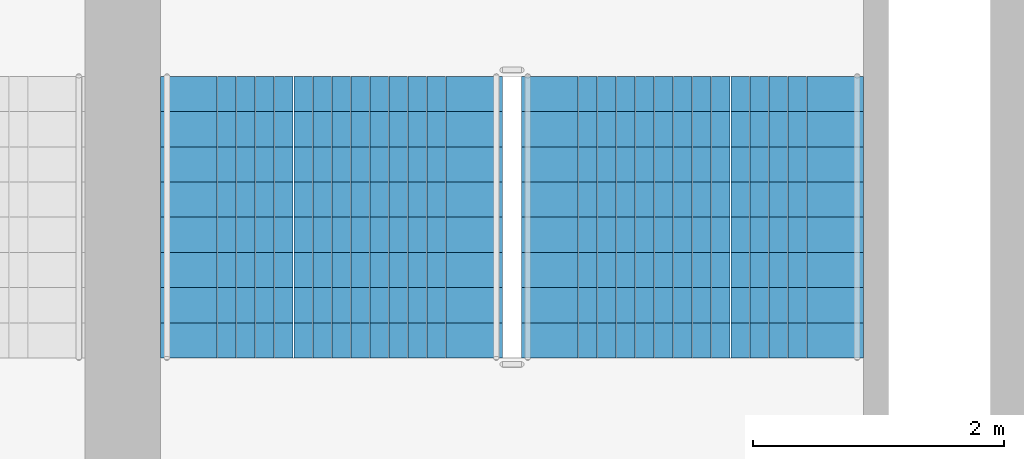
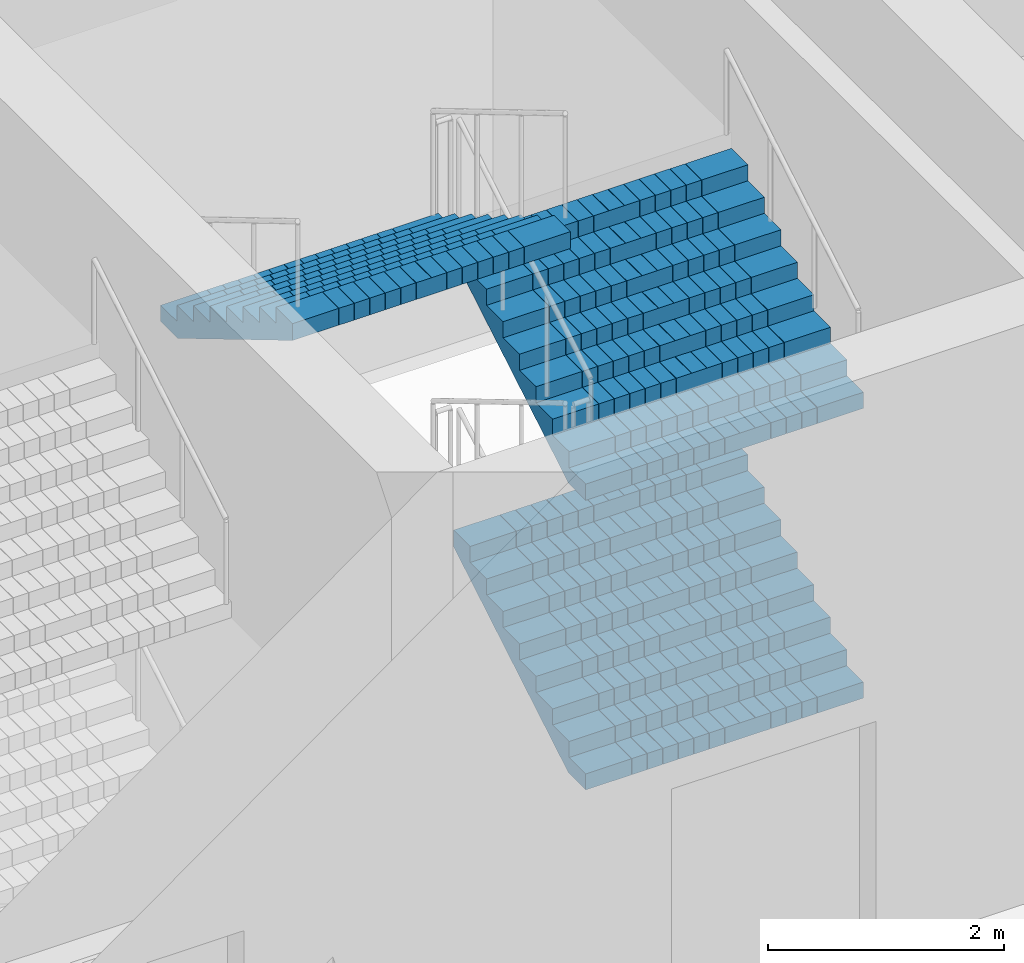
# One storey, part 28 of 41: 3 stair flights, 1 element without a shape of its own.
"""IFC4 building model written with IfcOpenShell, lengths in metres."""

from ifc_helpers import new_model, si_unit, direction, frame, origin, place, context, subcontext, project, spatial, polyline, outline, extrude, material, type_object, element, aggregate, save


model = new_model("IFC4")

# Units and contexts
model_context = context("Model", 3, precision=1e-05, world=origin(), true_north=direction((0.0, 1.0)))
body_context = subcontext(model_context, "Body", "Model", "MODEL_VIEW")
ifc_project = project(units=[si_unit("LENGTHUNIT", "METRE"), si_unit("AREAUNIT", "SQUARE_METRE"), si_unit("VOLUMEUNIT", "CUBIC_METRE"), si_unit("PLANEANGLEUNIT", "RADIAN"), si_unit("MASSUNIT", "GRAM", prefix="KILO")], contexts=[model_context])

# Site, building, storey
site_placement = place(None, origin())
site = spatial("IfcSite", under=ifc_project, at=site_placement, CompositionType="ELEMENT")
building_placement = place(site_placement, origin())
building = spatial("IfcBuilding", under=site, at=building_placement, Name="Corbelhall Arena Tower", CompositionType="ELEMENT")
storey_placement = place(building_placement, frame((0.0, 0.0, 19.0)))
storey = spatial("IfcBuildingStorey", under=building, at=storey_placement, Name="L02", CompositionType="ELEMENT", Elevation=19.0)

# Stair, stair flights
ifc_material = material(Name="Reinforced concrete C40/50", Category="concrete")
stair_type = type_object("IfcStairType", Name="AR-EXIT-STAIR", PredefinedType="HALF_TURN_STAIR", material=ifc_material)
stair_placement = place(storey_placement, origin())
stair = element("IfcStair", 1, at=stair_placement, inside=storey, type_object=stair_type, Name="L02 exit stair AS3", PredefinedType="HALF_TURN_STAIR")
stair_flight_type = type_object("IfcStairFlightType", Name="AR-EXIT-FLIGHT", PredefinedType="STRAIGHT", material=ifc_material)
stair_flight_1_placement = place(storey_placement, frame((-35.969970703125, 27.320068359375, 0.0), z_axis=(0.0, 0.0, 1.0), x_axis=(0.0, 1.0, 0.0)))
stair_flight_1 = element("IfcStairFlight", 2, at=stair_flight_1_placement, type_object=stair_flight_type, Name="AS3 flight 1", NumberOfRisers=9, NumberOfTreads=8, PredefinedType="STRAIGHT", RiserHeight=0.166666667, TreadLength=0.28, context=body_context, shape_type="SweptSolid", body=[
    extrude(outline(polyline([(0.0, 0.0), (0.0, 0.166748046875), (0.280029296875, 0.166748046875), (0.280029296875, 0.333251953125), (0.56005859375, 0.333251953125), (0.56005859375, 0.5), (0.840087890625, 0.5), (0.840087890625, 0.666748046875), (1.1201171875, 0.666748046875), (1.1201171875, 0.833251953125), (1.39990234375, 0.833251953125), (1.39990234375, 1.0), (1.679931640625, 1.0), (1.679931640625, 1.166748046875), (1.9599609375, 1.166748046875), (1.9599609375, 1.333251953125), (2.239990234375, 1.333251953125), (2.239990234375, 1.5), (2.239990234375, 1.158935546875), (0.29296875, 0.0), (0.0, 0.0)])), frame((0.0, 1.35986328125, 0.0), z_axis=(0.0, -1.0, 0.0), x_axis=(1.0, 0.0, 0.0)), (0.0, 0.0, 1.0), 0.449951171875),
    extrude(outline(polyline([(0.0, 0.0), (0.0, 0.166748046875), (0.280029296875, 0.166748046875), (0.280029296875, 0.333251953125), (0.56005859375, 0.333251953125), (0.56005859375, 0.5), (0.840087890625, 0.5), (0.840087890625, 0.666748046875), (1.1201171875, 0.666748046875), (1.1201171875, 0.833251953125), (1.39990234375, 0.833251953125), (1.39990234375, 1.0), (1.679931640625, 1.0), (1.679931640625, 1.166748046875), (1.9599609375, 1.166748046875), (1.9599609375, 1.333251953125), (2.239990234375, 1.333251953125), (2.239990234375, 1.5), (2.239990234375, 1.158935546875), (0.29296875, 0.0), (0.0, 0.0)])), frame((0.0, 0.906005859375, 0.0), z_axis=(0.0, -1.0, 0.0), x_axis=(1.0, 0.0, 0.0)), (0.0, 0.0, 1.0), 0.147216796875),
    extrude(outline(polyline([(0.0, 0.0), (0.0, 0.166748046875), (0.280029296875, 0.166748046875), (0.280029296875, 0.333251953125), (0.56005859375, 0.333251953125), (0.56005859375, 0.5), (0.840087890625, 0.5), (0.840087890625, 0.666748046875), (1.1201171875, 0.666748046875), (1.1201171875, 0.833251953125), (1.39990234375, 0.833251953125), (1.39990234375, 1.0), (1.679931640625, 1.0), (1.679931640625, 1.166748046875), (1.9599609375, 1.166748046875), (1.9599609375, 1.333251953125), (2.239990234375, 1.333251953125), (2.239990234375, 1.5), (2.239990234375, 1.158935546875), (0.29296875, 0.0), (0.0, 0.0)])), frame((0.0, 0.754638671875, 0.0), z_axis=(0.0, -1.0, 0.0), x_axis=(1.0, 0.0, 0.0)), (0.0, 0.0, 1.0), 0.147216796875),
    extrude(outline(polyline([(0.0, 0.0), (0.0, 0.166748046875), (0.280029296875, 0.166748046875), (0.280029296875, 0.333251953125), (0.56005859375, 0.333251953125), (0.56005859375, 0.5), (0.840087890625, 0.5), (0.840087890625, 0.666748046875), (1.1201171875, 0.666748046875), (1.1201171875, 0.833251953125), (1.39990234375, 0.833251953125), (1.39990234375, 1.0), (1.679931640625, 1.0), (1.679931640625, 1.166748046875), (1.9599609375, 1.166748046875), (1.9599609375, 1.333251953125), (2.239990234375, 1.333251953125), (2.239990234375, 1.5), (2.239990234375, 1.158935546875), (0.29296875, 0.0), (0.0, 0.0)])), frame((0.0, 0.603271484375, 0.0), z_axis=(0.0, -1.0, 0.0), x_axis=(1.0, 0.0, 0.0)), (0.0, 0.0, 1.0), 0.147216796875),
    extrude(outline(polyline([(0.0, 0.0), (0.0, 0.166748046875), (0.280029296875, 0.166748046875), (0.280029296875, 0.333251953125), (0.56005859375, 0.333251953125), (0.56005859375, 0.5), (0.840087890625, 0.5), (0.840087890625, 0.666748046875), (1.1201171875, 0.666748046875), (1.1201171875, 0.833251953125), (1.39990234375, 0.833251953125), (1.39990234375, 1.0), (1.679931640625, 1.0), (1.679931640625, 1.166748046875), (1.9599609375, 1.166748046875), (1.9599609375, 1.333251953125), (2.239990234375, 1.333251953125), (2.239990234375, 1.5), (2.239990234375, 1.158935546875), (0.29296875, 0.0), (0.0, 0.0)])), frame((0.0, 0.451904296875, 0.0), z_axis=(0.0, -1.0, 0.0), x_axis=(1.0, 0.0, 0.0)), (0.0, 0.0, 1.0), 0.147216796875),
    extrude(outline(polyline([(0.0, 0.0), (0.0, 0.166748046875), (0.280029296875, 0.166748046875), (0.280029296875, 0.333251953125), (0.56005859375, 0.333251953125), (0.56005859375, 0.5), (0.840087890625, 0.5), (0.840087890625, 0.666748046875), (1.1201171875, 0.666748046875), (1.1201171875, 0.833251953125), (1.39990234375, 0.833251953125), (1.39990234375, 1.0), (1.679931640625, 1.0), (1.679931640625, 1.166748046875), (1.9599609375, 1.166748046875), (1.9599609375, 1.333251953125), (2.239990234375, 1.333251953125), (2.239990234375, 1.5), (2.239990234375, 1.158935546875), (0.29296875, 0.0), (0.0, 0.0)])), frame((0.0, 0.30078125, 0.0), z_axis=(0.0, -1.0, 0.0), x_axis=(1.0, 0.0, 0.0)), (0.0, 0.0, 1.0), 0.147216796875),
    extrude(outline(polyline([(0.0, 0.0), (0.0, 0.166748046875), (0.280029296875, 0.166748046875), (0.280029296875, 0.333251953125), (0.56005859375, 0.333251953125), (0.56005859375, 0.5), (0.840087890625, 0.5), (0.840087890625, 0.666748046875), (1.1201171875, 0.666748046875), (1.1201171875, 0.833251953125), (1.39990234375, 0.833251953125), (1.39990234375, 1.0), (1.679931640625, 1.0), (1.679931640625, 1.166748046875), (1.9599609375, 1.166748046875), (1.9599609375, 1.333251953125), (2.239990234375, 1.333251953125), (2.239990234375, 1.5), (2.239990234375, 1.158935546875), (0.29296875, 0.0), (0.0, 0.0)])), frame((0.0, 0.1494140625, 0.0), z_axis=(0.0, -1.0, 0.0), x_axis=(1.0, 0.0, 0.0)), (0.0, 0.0, 1.0), 0.147216796875),
    extrude(outline(polyline([(0.0, 0.0), (0.0, 0.166748046875), (0.280029296875, 0.166748046875), (0.280029296875, 0.333251953125), (0.56005859375, 0.333251953125), (0.56005859375, 0.5), (0.840087890625, 0.5), (0.840087890625, 0.666748046875), (1.1201171875, 0.666748046875), (1.1201171875, 0.833251953125), (1.39990234375, 0.833251953125), (1.39990234375, 1.0), (1.679931640625, 1.0), (1.679931640625, 1.166748046875), (1.9599609375, 1.166748046875), (1.9599609375, 1.333251953125), (2.239990234375, 1.333251953125), (2.239990234375, 1.5), (2.239990234375, 1.158935546875), (0.29296875, 0.0), (0.0, 0.0)])), frame((0.0, -0.001953125, 0.0), z_axis=(0.0, -1.0, 0.0), x_axis=(1.0, 0.0, 0.0)), (0.0, 0.0, 1.0), 0.147216796875),
    extrude(outline(polyline([(0.0, 0.0), (0.0, 0.166748046875), (0.280029296875, 0.166748046875), (0.280029296875, 0.333251953125), (0.56005859375, 0.333251953125), (0.56005859375, 0.5), (0.840087890625, 0.5), (0.840087890625, 0.666748046875), (1.1201171875, 0.666748046875), (1.1201171875, 0.833251953125), (1.39990234375, 0.833251953125), (1.39990234375, 1.0), (1.679931640625, 1.0), (1.679931640625, 1.166748046875), (1.9599609375, 1.166748046875), (1.9599609375, 1.333251953125), (2.239990234375, 1.333251953125), (2.239990234375, 1.5), (2.239990234375, 1.158935546875), (0.29296875, 0.0), (0.0, 0.0)])), frame((0.0, -0.1533203125, 0.0), z_axis=(0.0, -1.0, 0.0), x_axis=(1.0, 0.0, 0.0)), (0.0, 0.0, 1.0), 0.147216796875),
    extrude(outline(polyline([(0.0, 0.0), (0.0, 0.166748046875), (0.280029296875, 0.166748046875), (0.280029296875, 0.333251953125), (0.56005859375, 0.333251953125), (0.56005859375, 0.5), (0.840087890625, 0.5), (0.840087890625, 0.666748046875), (1.1201171875, 0.666748046875), (1.1201171875, 0.833251953125), (1.39990234375, 0.833251953125), (1.39990234375, 1.0), (1.679931640625, 1.0), (1.679931640625, 1.166748046875), (1.9599609375, 1.166748046875), (1.9599609375, 1.333251953125), (2.239990234375, 1.333251953125), (2.239990234375, 1.5), (2.239990234375, 1.158935546875), (0.29296875, 0.0), (0.0, 0.0)])), frame((0.0, -0.3046875, 0.0), z_axis=(0.0, -1.0, 0.0), x_axis=(1.0, 0.0, 0.0)), (0.0, 0.0, 1.0), 0.147216796875),
    extrude(outline(polyline([(0.0, 0.0), (0.0, 0.166748046875), (0.280029296875, 0.166748046875), (0.280029296875, 0.333251953125), (0.56005859375, 0.333251953125), (0.56005859375, 0.5), (0.840087890625, 0.5), (0.840087890625, 0.666748046875), (1.1201171875, 0.666748046875), (1.1201171875, 0.833251953125), (1.39990234375, 0.833251953125), (1.39990234375, 1.0), (1.679931640625, 1.0), (1.679931640625, 1.166748046875), (1.9599609375, 1.166748046875), (1.9599609375, 1.333251953125), (2.239990234375, 1.333251953125), (2.239990234375, 1.5), (2.239990234375, 1.158935546875), (0.29296875, 0.0), (0.0, 0.0)])), frame((0.0, -0.4560546875, 0.0), z_axis=(0.0, -1.0, 0.0), x_axis=(1.0, 0.0, 0.0)), (0.0, 0.0, 1.0), 0.147216796875),
    extrude(outline(polyline([(0.0, 0.0), (0.0, 0.166748046875), (0.280029296875, 0.166748046875), (0.280029296875, 0.333251953125), (0.56005859375, 0.333251953125), (0.56005859375, 0.5), (0.840087890625, 0.5), (0.840087890625, 0.666748046875), (1.1201171875, 0.666748046875), (1.1201171875, 0.833251953125), (1.39990234375, 0.833251953125), (1.39990234375, 1.0), (1.679931640625, 1.0), (1.679931640625, 1.166748046875), (1.9599609375, 1.166748046875), (1.9599609375, 1.333251953125), (2.239990234375, 1.333251953125), (2.239990234375, 1.5), (2.239990234375, 1.158935546875), (0.29296875, 0.0), (0.0, 0.0)])), frame((0.0, -0.607421875, 0.0), z_axis=(0.0, -1.0, 0.0), x_axis=(1.0, 0.0, 0.0)), (0.0, 0.0, 1.0), 0.147216796875),
    extrude(outline(polyline([(0.0, 0.0), (0.0, 0.166748046875), (0.280029296875, 0.166748046875), (0.280029296875, 0.333251953125), (0.56005859375, 0.333251953125), (0.56005859375, 0.5), (0.840087890625, 0.5), (0.840087890625, 0.666748046875), (1.1201171875, 0.666748046875), (1.1201171875, 0.833251953125), (1.39990234375, 0.833251953125), (1.39990234375, 1.0), (1.679931640625, 1.0), (1.679931640625, 1.166748046875), (1.9599609375, 1.166748046875), (1.9599609375, 1.333251953125), (2.239990234375, 1.333251953125), (2.239990234375, 1.5), (2.239990234375, 1.158935546875), (0.29296875, 0.0), (0.0, 0.0)])), frame((0.0, -0.758544921875, 0.0), z_axis=(0.0, -1.0, 0.0), x_axis=(1.0, 0.0, 0.0)), (0.0, 0.0, 1.0), 0.147216796875),
    extrude(outline(polyline([(0.0, 0.0), (0.0, 0.166748046875), (0.280029296875, 0.166748046875), (0.280029296875, 0.333251953125), (0.56005859375, 0.333251953125), (0.56005859375, 0.5), (0.840087890625, 0.5), (0.840087890625, 0.666748046875), (1.1201171875, 0.666748046875), (1.1201171875, 0.833251953125), (1.39990234375, 0.833251953125), (1.39990234375, 1.0), (1.679931640625, 1.0), (1.679931640625, 1.166748046875), (1.9599609375, 1.166748046875), (1.9599609375, 1.333251953125), (2.239990234375, 1.333251953125), (2.239990234375, 1.5), (2.239990234375, 1.158935546875), (0.29296875, 0.0), (0.0, 0.0)])), frame((0.0, -0.909912109375, 0.0), z_axis=(0.0, -1.0, 0.0), x_axis=(1.0, 0.0, 0.0)), (0.0, 0.0, 1.0), 0.449951171875),
])
stair_flight_2_placement = place(storey_placement, frame((-35.969970703125, 27.320068359375, 3.0), z_axis=(0.0, 0.0, 1.0), x_axis=(0.0, 1.0, 0.0)))
stair_flight_2 = element("IfcStairFlight", 3, at=stair_flight_2_placement, type_object=stair_flight_type, Name="AS3 flight 3", NumberOfRisers=9, NumberOfTreads=8, PredefinedType="STRAIGHT", RiserHeight=0.166666667, TreadLength=0.28, context=body_context, shape_type="SweptSolid", body=[
    extrude(outline(polyline([(0.0, 0.0), (0.0, 0.166748046875), (0.280029296875, 0.166748046875), (0.280029296875, 0.333251953125), (0.56005859375, 0.333251953125), (0.56005859375, 0.5), (0.840087890625, 0.5), (0.840087890625, 0.666748046875), (1.1201171875, 0.666748046875), (1.1201171875, 0.833251953125), (1.39990234375, 0.833251953125), (1.39990234375, 1.0), (1.679931640625, 1.0), (1.679931640625, 1.166748046875), (1.9599609375, 1.166748046875), (1.9599609375, 1.333251953125), (2.239990234375, 1.333251953125), (2.239990234375, 1.5), (2.239990234375, 1.158935546875), (0.29296875, 0.0), (0.0, 0.0)])), frame((0.0, 1.35986328125, 0.0), z_axis=(0.0, -1.0, 0.0), x_axis=(1.0, 0.0, 0.0)), (0.0, 0.0, 1.0), 0.449951171875),
    extrude(outline(polyline([(0.0, 0.0), (0.0, 0.166748046875), (0.280029296875, 0.166748046875), (0.280029296875, 0.333251953125), (0.56005859375, 0.333251953125), (0.56005859375, 0.5), (0.840087890625, 0.5), (0.840087890625, 0.666748046875), (1.1201171875, 0.666748046875), (1.1201171875, 0.833251953125), (1.39990234375, 0.833251953125), (1.39990234375, 1.0), (1.679931640625, 1.0), (1.679931640625, 1.166748046875), (1.9599609375, 1.166748046875), (1.9599609375, 1.333251953125), (2.239990234375, 1.333251953125), (2.239990234375, 1.5), (2.239990234375, 1.158935546875), (0.29296875, 0.0), (0.0, 0.0)])), frame((0.0, 0.906005859375, 0.0), z_axis=(0.0, -1.0, 0.0), x_axis=(1.0, 0.0, 0.0)), (0.0, 0.0, 1.0), 0.147216796875),
    extrude(outline(polyline([(0.0, 0.0), (0.0, 0.166748046875), (0.280029296875, 0.166748046875), (0.280029296875, 0.333251953125), (0.56005859375, 0.333251953125), (0.56005859375, 0.5), (0.840087890625, 0.5), (0.840087890625, 0.666748046875), (1.1201171875, 0.666748046875), (1.1201171875, 0.833251953125), (1.39990234375, 0.833251953125), (1.39990234375, 1.0), (1.679931640625, 1.0), (1.679931640625, 1.166748046875), (1.9599609375, 1.166748046875), (1.9599609375, 1.333251953125), (2.239990234375, 1.333251953125), (2.239990234375, 1.5), (2.239990234375, 1.158935546875), (0.29296875, 0.0), (0.0, 0.0)])), frame((0.0, 0.754638671875, 0.0), z_axis=(0.0, -1.0, 0.0), x_axis=(1.0, 0.0, 0.0)), (0.0, 0.0, 1.0), 0.147216796875),
    extrude(outline(polyline([(0.0, 0.0), (0.0, 0.166748046875), (0.280029296875, 0.166748046875), (0.280029296875, 0.333251953125), (0.56005859375, 0.333251953125), (0.56005859375, 0.5), (0.840087890625, 0.5), (0.840087890625, 0.666748046875), (1.1201171875, 0.666748046875), (1.1201171875, 0.833251953125), (1.39990234375, 0.833251953125), (1.39990234375, 1.0), (1.679931640625, 1.0), (1.679931640625, 1.166748046875), (1.9599609375, 1.166748046875), (1.9599609375, 1.333251953125), (2.239990234375, 1.333251953125), (2.239990234375, 1.5), (2.239990234375, 1.158935546875), (0.29296875, 0.0), (0.0, 0.0)])), frame((0.0, 0.603271484375, 0.0), z_axis=(0.0, -1.0, 0.0), x_axis=(1.0, 0.0, 0.0)), (0.0, 0.0, 1.0), 0.147216796875),
    extrude(outline(polyline([(0.0, 0.0), (0.0, 0.166748046875), (0.280029296875, 0.166748046875), (0.280029296875, 0.333251953125), (0.56005859375, 0.333251953125), (0.56005859375, 0.5), (0.840087890625, 0.5), (0.840087890625, 0.666748046875), (1.1201171875, 0.666748046875), (1.1201171875, 0.833251953125), (1.39990234375, 0.833251953125), (1.39990234375, 1.0), (1.679931640625, 1.0), (1.679931640625, 1.166748046875), (1.9599609375, 1.166748046875), (1.9599609375, 1.333251953125), (2.239990234375, 1.333251953125), (2.239990234375, 1.5), (2.239990234375, 1.158935546875), (0.29296875, 0.0), (0.0, 0.0)])), frame((0.0, 0.451904296875, 0.0), z_axis=(0.0, -1.0, 0.0), x_axis=(1.0, 0.0, 0.0)), (0.0, 0.0, 1.0), 0.147216796875),
    extrude(outline(polyline([(0.0, 0.0), (0.0, 0.166748046875), (0.280029296875, 0.166748046875), (0.280029296875, 0.333251953125), (0.56005859375, 0.333251953125), (0.56005859375, 0.5), (0.840087890625, 0.5), (0.840087890625, 0.666748046875), (1.1201171875, 0.666748046875), (1.1201171875, 0.833251953125), (1.39990234375, 0.833251953125), (1.39990234375, 1.0), (1.679931640625, 1.0), (1.679931640625, 1.166748046875), (1.9599609375, 1.166748046875), (1.9599609375, 1.333251953125), (2.239990234375, 1.333251953125), (2.239990234375, 1.5), (2.239990234375, 1.158935546875), (0.29296875, 0.0), (0.0, 0.0)])), frame((0.0, 0.30078125, 0.0), z_axis=(0.0, -1.0, 0.0), x_axis=(1.0, 0.0, 0.0)), (0.0, 0.0, 1.0), 0.147216796875),
    extrude(outline(polyline([(0.0, 0.0), (0.0, 0.166748046875), (0.280029296875, 0.166748046875), (0.280029296875, 0.333251953125), (0.56005859375, 0.333251953125), (0.56005859375, 0.5), (0.840087890625, 0.5), (0.840087890625, 0.666748046875), (1.1201171875, 0.666748046875), (1.1201171875, 0.833251953125), (1.39990234375, 0.833251953125), (1.39990234375, 1.0), (1.679931640625, 1.0), (1.679931640625, 1.166748046875), (1.9599609375, 1.166748046875), (1.9599609375, 1.333251953125), (2.239990234375, 1.333251953125), (2.239990234375, 1.5), (2.239990234375, 1.158935546875), (0.29296875, 0.0), (0.0, 0.0)])), frame((0.0, 0.1494140625, 0.0), z_axis=(0.0, -1.0, 0.0), x_axis=(1.0, 0.0, 0.0)), (0.0, 0.0, 1.0), 0.147216796875),
    extrude(outline(polyline([(0.0, 0.0), (0.0, 0.166748046875), (0.280029296875, 0.166748046875), (0.280029296875, 0.333251953125), (0.56005859375, 0.333251953125), (0.56005859375, 0.5), (0.840087890625, 0.5), (0.840087890625, 0.666748046875), (1.1201171875, 0.666748046875), (1.1201171875, 0.833251953125), (1.39990234375, 0.833251953125), (1.39990234375, 1.0), (1.679931640625, 1.0), (1.679931640625, 1.166748046875), (1.9599609375, 1.166748046875), (1.9599609375, 1.333251953125), (2.239990234375, 1.333251953125), (2.239990234375, 1.5), (2.239990234375, 1.158935546875), (0.29296875, 0.0), (0.0, 0.0)])), frame((0.0, -0.001953125, 0.0), z_axis=(0.0, -1.0, 0.0), x_axis=(1.0, 0.0, 0.0)), (0.0, 0.0, 1.0), 0.147216796875),
    extrude(outline(polyline([(0.0, 0.0), (0.0, 0.166748046875), (0.280029296875, 0.166748046875), (0.280029296875, 0.333251953125), (0.56005859375, 0.333251953125), (0.56005859375, 0.5), (0.840087890625, 0.5), (0.840087890625, 0.666748046875), (1.1201171875, 0.666748046875), (1.1201171875, 0.833251953125), (1.39990234375, 0.833251953125), (1.39990234375, 1.0), (1.679931640625, 1.0), (1.679931640625, 1.166748046875), (1.9599609375, 1.166748046875), (1.9599609375, 1.333251953125), (2.239990234375, 1.333251953125), (2.239990234375, 1.5), (2.239990234375, 1.158935546875), (0.29296875, 0.0), (0.0, 0.0)])), frame((0.0, -0.1533203125, 0.0), z_axis=(0.0, -1.0, 0.0), x_axis=(1.0, 0.0, 0.0)), (0.0, 0.0, 1.0), 0.147216796875),
    extrude(outline(polyline([(0.0, 0.0), (0.0, 0.166748046875), (0.280029296875, 0.166748046875), (0.280029296875, 0.333251953125), (0.56005859375, 0.333251953125), (0.56005859375, 0.5), (0.840087890625, 0.5), (0.840087890625, 0.666748046875), (1.1201171875, 0.666748046875), (1.1201171875, 0.833251953125), (1.39990234375, 0.833251953125), (1.39990234375, 1.0), (1.679931640625, 1.0), (1.679931640625, 1.166748046875), (1.9599609375, 1.166748046875), (1.9599609375, 1.333251953125), (2.239990234375, 1.333251953125), (2.239990234375, 1.5), (2.239990234375, 1.158935546875), (0.29296875, 0.0), (0.0, 0.0)])), frame((0.0, -0.3046875, 0.0), z_axis=(0.0, -1.0, 0.0), x_axis=(1.0, 0.0, 0.0)), (0.0, 0.0, 1.0), 0.147216796875),
    extrude(outline(polyline([(0.0, 0.0), (0.0, 0.166748046875), (0.280029296875, 0.166748046875), (0.280029296875, 0.333251953125), (0.56005859375, 0.333251953125), (0.56005859375, 0.5), (0.840087890625, 0.5), (0.840087890625, 0.666748046875), (1.1201171875, 0.666748046875), (1.1201171875, 0.833251953125), (1.39990234375, 0.833251953125), (1.39990234375, 1.0), (1.679931640625, 1.0), (1.679931640625, 1.166748046875), (1.9599609375, 1.166748046875), (1.9599609375, 1.333251953125), (2.239990234375, 1.333251953125), (2.239990234375, 1.5), (2.239990234375, 1.158935546875), (0.29296875, 0.0), (0.0, 0.0)])), frame((0.0, -0.4560546875, 0.0), z_axis=(0.0, -1.0, 0.0), x_axis=(1.0, 0.0, 0.0)), (0.0, 0.0, 1.0), 0.147216796875),
    extrude(outline(polyline([(0.0, 0.0), (0.0, 0.166748046875), (0.280029296875, 0.166748046875), (0.280029296875, 0.333251953125), (0.56005859375, 0.333251953125), (0.56005859375, 0.5), (0.840087890625, 0.5), (0.840087890625, 0.666748046875), (1.1201171875, 0.666748046875), (1.1201171875, 0.833251953125), (1.39990234375, 0.833251953125), (1.39990234375, 1.0), (1.679931640625, 1.0), (1.679931640625, 1.166748046875), (1.9599609375, 1.166748046875), (1.9599609375, 1.333251953125), (2.239990234375, 1.333251953125), (2.239990234375, 1.5), (2.239990234375, 1.158935546875), (0.29296875, 0.0), (0.0, 0.0)])), frame((0.0, -0.607421875, 0.0), z_axis=(0.0, -1.0, 0.0), x_axis=(1.0, 0.0, 0.0)), (0.0, 0.0, 1.0), 0.147216796875),
    extrude(outline(polyline([(0.0, 0.0), (0.0, 0.166748046875), (0.280029296875, 0.166748046875), (0.280029296875, 0.333251953125), (0.56005859375, 0.333251953125), (0.56005859375, 0.5), (0.840087890625, 0.5), (0.840087890625, 0.666748046875), (1.1201171875, 0.666748046875), (1.1201171875, 0.833251953125), (1.39990234375, 0.833251953125), (1.39990234375, 1.0), (1.679931640625, 1.0), (1.679931640625, 1.166748046875), (1.9599609375, 1.166748046875), (1.9599609375, 1.333251953125), (2.239990234375, 1.333251953125), (2.239990234375, 1.5), (2.239990234375, 1.158935546875), (0.29296875, 0.0), (0.0, 0.0)])), frame((0.0, -0.758544921875, 0.0), z_axis=(0.0, -1.0, 0.0), x_axis=(1.0, 0.0, 0.0)), (0.0, 0.0, 1.0), 0.147216796875),
    extrude(outline(polyline([(0.0, 0.0), (0.0, 0.166748046875), (0.280029296875, 0.166748046875), (0.280029296875, 0.333251953125), (0.56005859375, 0.333251953125), (0.56005859375, 0.5), (0.840087890625, 0.5), (0.840087890625, 0.666748046875), (1.1201171875, 0.666748046875), (1.1201171875, 0.833251953125), (1.39990234375, 0.833251953125), (1.39990234375, 1.0), (1.679931640625, 1.0), (1.679931640625, 1.166748046875), (1.9599609375, 1.166748046875), (1.9599609375, 1.333251953125), (2.239990234375, 1.333251953125), (2.239990234375, 1.5), (2.239990234375, 1.158935546875), (0.29296875, 0.0), (0.0, 0.0)])), frame((0.0, -0.909912109375, 0.0), z_axis=(0.0, -1.0, 0.0), x_axis=(1.0, 0.0, 0.0)), (0.0, 0.0, 1.0), 0.449951171875),
])
stair_flight_3_placement = place(storey_placement, frame((-38.840087890625, 29.56005859375, 4.5), z_axis=(0.0, 0.0, 1.0), x_axis=(0.0, -1.0, 0.0)))
stair_flight_3 = element("IfcStairFlight", 4, at=stair_flight_3_placement, type_object=stair_flight_type, Name="AS3 flight 4", NumberOfRisers=9, NumberOfTreads=8, PredefinedType="STRAIGHT", RiserHeight=0.166666667, TreadLength=0.28, context=body_context, shape_type="SweptSolid", body=[
    extrude(outline(polyline([(0.0, 0.0), (0.0, 0.166748046875), (0.280029296875, 0.166748046875), (0.280029296875, 0.333251953125), (0.56005859375, 0.333251953125), (0.56005859375, 0.5), (0.840087890625, 0.5), (0.840087890625, 0.666748046875), (1.1201171875, 0.666748046875), (1.1201171875, 0.833251953125), (1.39990234375, 0.833251953125), (1.39990234375, 1.0), (1.679931640625, 1.0), (1.679931640625, 1.166748046875), (1.9599609375, 1.166748046875), (1.9599609375, 1.333251953125), (2.239990234375, 1.333251953125), (2.239990234375, 1.5), (2.239990234375, 1.158935546875), (0.29296875, 0.0), (0.0, 0.0)])), frame((0.0, 1.35986328125, 0.0), z_axis=(0.0, -1.0, 0.0), x_axis=(1.0, 0.0, 0.0)), (0.0, 0.0, 1.0), 0.449951171875),
    extrude(outline(polyline([(0.0, 0.0), (0.0, 0.166748046875), (0.280029296875, 0.166748046875), (0.280029296875, 0.333251953125), (0.56005859375, 0.333251953125), (0.56005859375, 0.5), (0.840087890625, 0.5), (0.840087890625, 0.666748046875), (1.1201171875, 0.666748046875), (1.1201171875, 0.833251953125), (1.39990234375, 0.833251953125), (1.39990234375, 1.0), (1.679931640625, 1.0), (1.679931640625, 1.166748046875), (1.9599609375, 1.166748046875), (1.9599609375, 1.333251953125), (2.239990234375, 1.333251953125), (2.239990234375, 1.5), (2.239990234375, 1.158935546875), (0.29296875, 0.0), (0.0, 0.0)])), frame((0.0, 0.906005859375, 0.0), z_axis=(0.0, -1.0, 0.0), x_axis=(1.0, 0.0, 0.0)), (0.0, 0.0, 1.0), 0.147216796875),
    extrude(outline(polyline([(0.0, 0.0), (0.0, 0.166748046875), (0.280029296875, 0.166748046875), (0.280029296875, 0.333251953125), (0.56005859375, 0.333251953125), (0.56005859375, 0.5), (0.840087890625, 0.5), (0.840087890625, 0.666748046875), (1.1201171875, 0.666748046875), (1.1201171875, 0.833251953125), (1.39990234375, 0.833251953125), (1.39990234375, 1.0), (1.679931640625, 1.0), (1.679931640625, 1.166748046875), (1.9599609375, 1.166748046875), (1.9599609375, 1.333251953125), (2.239990234375, 1.333251953125), (2.239990234375, 1.5), (2.239990234375, 1.158935546875), (0.29296875, 0.0), (0.0, 0.0)])), frame((0.0, 0.754638671875, 0.0), z_axis=(0.0, -1.0, 0.0), x_axis=(1.0, 0.0, 0.0)), (0.0, 0.0, 1.0), 0.147216796875),
    extrude(outline(polyline([(0.0, 0.0), (0.0, 0.166748046875), (0.280029296875, 0.166748046875), (0.280029296875, 0.333251953125), (0.56005859375, 0.333251953125), (0.56005859375, 0.5), (0.840087890625, 0.5), (0.840087890625, 0.666748046875), (1.1201171875, 0.666748046875), (1.1201171875, 0.833251953125), (1.39990234375, 0.833251953125), (1.39990234375, 1.0), (1.679931640625, 1.0), (1.679931640625, 1.166748046875), (1.9599609375, 1.166748046875), (1.9599609375, 1.333251953125), (2.239990234375, 1.333251953125), (2.239990234375, 1.5), (2.239990234375, 1.158935546875), (0.29296875, 0.0), (0.0, 0.0)])), frame((0.0, 0.603271484375, 0.0), z_axis=(0.0, -1.0, 0.0), x_axis=(1.0, 0.0, 0.0)), (0.0, 0.0, 1.0), 0.147216796875),
    extrude(outline(polyline([(0.0, 0.0), (0.0, 0.166748046875), (0.280029296875, 0.166748046875), (0.280029296875, 0.333251953125), (0.56005859375, 0.333251953125), (0.56005859375, 0.5), (0.840087890625, 0.5), (0.840087890625, 0.666748046875), (1.1201171875, 0.666748046875), (1.1201171875, 0.833251953125), (1.39990234375, 0.833251953125), (1.39990234375, 1.0), (1.679931640625, 1.0), (1.679931640625, 1.166748046875), (1.9599609375, 1.166748046875), (1.9599609375, 1.333251953125), (2.239990234375, 1.333251953125), (2.239990234375, 1.5), (2.239990234375, 1.158935546875), (0.29296875, 0.0), (0.0, 0.0)])), frame((0.0, 0.451904296875, 0.0), z_axis=(0.0, -1.0, 0.0), x_axis=(1.0, 0.0, 0.0)), (0.0, 0.0, 1.0), 0.147216796875),
    extrude(outline(polyline([(0.0, 0.0), (0.0, 0.166748046875), (0.280029296875, 0.166748046875), (0.280029296875, 0.333251953125), (0.56005859375, 0.333251953125), (0.56005859375, 0.5), (0.840087890625, 0.5), (0.840087890625, 0.666748046875), (1.1201171875, 0.666748046875), (1.1201171875, 0.833251953125), (1.39990234375, 0.833251953125), (1.39990234375, 1.0), (1.679931640625, 1.0), (1.679931640625, 1.166748046875), (1.9599609375, 1.166748046875), (1.9599609375, 1.333251953125), (2.239990234375, 1.333251953125), (2.239990234375, 1.5), (2.239990234375, 1.158935546875), (0.29296875, 0.0), (0.0, 0.0)])), frame((0.0, 0.30078125, 0.0), z_axis=(0.0, -1.0, 0.0), x_axis=(1.0, 0.0, 0.0)), (0.0, 0.0, 1.0), 0.147216796875),
    extrude(outline(polyline([(0.0, 0.0), (0.0, 0.166748046875), (0.280029296875, 0.166748046875), (0.280029296875, 0.333251953125), (0.56005859375, 0.333251953125), (0.56005859375, 0.5), (0.840087890625, 0.5), (0.840087890625, 0.666748046875), (1.1201171875, 0.666748046875), (1.1201171875, 0.833251953125), (1.39990234375, 0.833251953125), (1.39990234375, 1.0), (1.679931640625, 1.0), (1.679931640625, 1.166748046875), (1.9599609375, 1.166748046875), (1.9599609375, 1.333251953125), (2.239990234375, 1.333251953125), (2.239990234375, 1.5), (2.239990234375, 1.158935546875), (0.29296875, 0.0), (0.0, 0.0)])), frame((0.0, 0.1494140625, 0.0), z_axis=(0.0, -1.0, 0.0), x_axis=(1.0, 0.0, 0.0)), (0.0, 0.0, 1.0), 0.147216796875),
    extrude(outline(polyline([(0.0, 0.0), (0.0, 0.166748046875), (0.280029296875, 0.166748046875), (0.280029296875, 0.333251953125), (0.56005859375, 0.333251953125), (0.56005859375, 0.5), (0.840087890625, 0.5), (0.840087890625, 0.666748046875), (1.1201171875, 0.666748046875), (1.1201171875, 0.833251953125), (1.39990234375, 0.833251953125), (1.39990234375, 1.0), (1.679931640625, 1.0), (1.679931640625, 1.166748046875), (1.9599609375, 1.166748046875), (1.9599609375, 1.333251953125), (2.239990234375, 1.333251953125), (2.239990234375, 1.5), (2.239990234375, 1.158935546875), (0.29296875, 0.0), (0.0, 0.0)])), frame((0.0, -0.001953125, 0.0), z_axis=(0.0, -1.0, 0.0), x_axis=(1.0, 0.0, 0.0)), (0.0, 0.0, 1.0), 0.147216796875),
    extrude(outline(polyline([(0.0, 0.0), (0.0, 0.166748046875), (0.280029296875, 0.166748046875), (0.280029296875, 0.333251953125), (0.56005859375, 0.333251953125), (0.56005859375, 0.5), (0.840087890625, 0.5), (0.840087890625, 0.666748046875), (1.1201171875, 0.666748046875), (1.1201171875, 0.833251953125), (1.39990234375, 0.833251953125), (1.39990234375, 1.0), (1.679931640625, 1.0), (1.679931640625, 1.166748046875), (1.9599609375, 1.166748046875), (1.9599609375, 1.333251953125), (2.239990234375, 1.333251953125), (2.239990234375, 1.5), (2.239990234375, 1.158935546875), (0.29296875, 0.0), (0.0, 0.0)])), frame((0.0, -0.1533203125, 0.0), z_axis=(0.0, -1.0, 0.0), x_axis=(1.0, 0.0, 0.0)), (0.0, 0.0, 1.0), 0.147216796875),
    extrude(outline(polyline([(0.0, 0.0), (0.0, 0.166748046875), (0.280029296875, 0.166748046875), (0.280029296875, 0.333251953125), (0.56005859375, 0.333251953125), (0.56005859375, 0.5), (0.840087890625, 0.5), (0.840087890625, 0.666748046875), (1.1201171875, 0.666748046875), (1.1201171875, 0.833251953125), (1.39990234375, 0.833251953125), (1.39990234375, 1.0), (1.679931640625, 1.0), (1.679931640625, 1.166748046875), (1.9599609375, 1.166748046875), (1.9599609375, 1.333251953125), (2.239990234375, 1.333251953125), (2.239990234375, 1.5), (2.239990234375, 1.158935546875), (0.29296875, 0.0), (0.0, 0.0)])), frame((0.0, -0.3046875, 0.0), z_axis=(0.0, -1.0, 0.0), x_axis=(1.0, 0.0, 0.0)), (0.0, 0.0, 1.0), 0.147216796875),
    extrude(outline(polyline([(0.0, 0.0), (0.0, 0.166748046875), (0.280029296875, 0.166748046875), (0.280029296875, 0.333251953125), (0.56005859375, 0.333251953125), (0.56005859375, 0.5), (0.840087890625, 0.5), (0.840087890625, 0.666748046875), (1.1201171875, 0.666748046875), (1.1201171875, 0.833251953125), (1.39990234375, 0.833251953125), (1.39990234375, 1.0), (1.679931640625, 1.0), (1.679931640625, 1.166748046875), (1.9599609375, 1.166748046875), (1.9599609375, 1.333251953125), (2.239990234375, 1.333251953125), (2.239990234375, 1.5), (2.239990234375, 1.158935546875), (0.29296875, 0.0), (0.0, 0.0)])), frame((0.0, -0.4560546875, 0.0), z_axis=(0.0, -1.0, 0.0), x_axis=(1.0, 0.0, 0.0)), (0.0, 0.0, 1.0), 0.147216796875),
    extrude(outline(polyline([(0.0, 0.0), (0.0, 0.166748046875), (0.280029296875, 0.166748046875), (0.280029296875, 0.333251953125), (0.56005859375, 0.333251953125), (0.56005859375, 0.5), (0.840087890625, 0.5), (0.840087890625, 0.666748046875), (1.1201171875, 0.666748046875), (1.1201171875, 0.833251953125), (1.39990234375, 0.833251953125), (1.39990234375, 1.0), (1.679931640625, 1.0), (1.679931640625, 1.166748046875), (1.9599609375, 1.166748046875), (1.9599609375, 1.333251953125), (2.239990234375, 1.333251953125), (2.239990234375, 1.5), (2.239990234375, 1.158935546875), (0.29296875, 0.0), (0.0, 0.0)])), frame((0.0, -0.607421875, 0.0), z_axis=(0.0, -1.0, 0.0), x_axis=(1.0, 0.0, 0.0)), (0.0, 0.0, 1.0), 0.147216796875),
    extrude(outline(polyline([(0.0, 0.0), (0.0, 0.166748046875), (0.280029296875, 0.166748046875), (0.280029296875, 0.333251953125), (0.56005859375, 0.333251953125), (0.56005859375, 0.5), (0.840087890625, 0.5), (0.840087890625, 0.666748046875), (1.1201171875, 0.666748046875), (1.1201171875, 0.833251953125), (1.39990234375, 0.833251953125), (1.39990234375, 1.0), (1.679931640625, 1.0), (1.679931640625, 1.166748046875), (1.9599609375, 1.166748046875), (1.9599609375, 1.333251953125), (2.239990234375, 1.333251953125), (2.239990234375, 1.5), (2.239990234375, 1.158935546875), (0.29296875, 0.0), (0.0, 0.0)])), frame((0.0, -0.758544921875, 0.0), z_axis=(0.0, -1.0, 0.0), x_axis=(1.0, 0.0, 0.0)), (0.0, 0.0, 1.0), 0.147216796875),
    extrude(outline(polyline([(0.0, 0.0), (0.0, 0.166748046875), (0.280029296875, 0.166748046875), (0.280029296875, 0.333251953125), (0.56005859375, 0.333251953125), (0.56005859375, 0.5), (0.840087890625, 0.5), (0.840087890625, 0.666748046875), (1.1201171875, 0.666748046875), (1.1201171875, 0.833251953125), (1.39990234375, 0.833251953125), (1.39990234375, 1.0), (1.679931640625, 1.0), (1.679931640625, 1.166748046875), (1.9599609375, 1.166748046875), (1.9599609375, 1.333251953125), (2.239990234375, 1.333251953125), (2.239990234375, 1.5), (2.239990234375, 1.158935546875), (0.29296875, 0.0), (0.0, 0.0)])), frame((0.0, -0.909912109375, 0.0), z_axis=(0.0, -1.0, 0.0), x_axis=(1.0, 0.0, 0.0)), (0.0, 0.0, 1.0), 0.449951171875),
])
aggregate(stair, [stair_flight_1, stair_flight_2, stair_flight_3])

save(model, "model.ifc")
